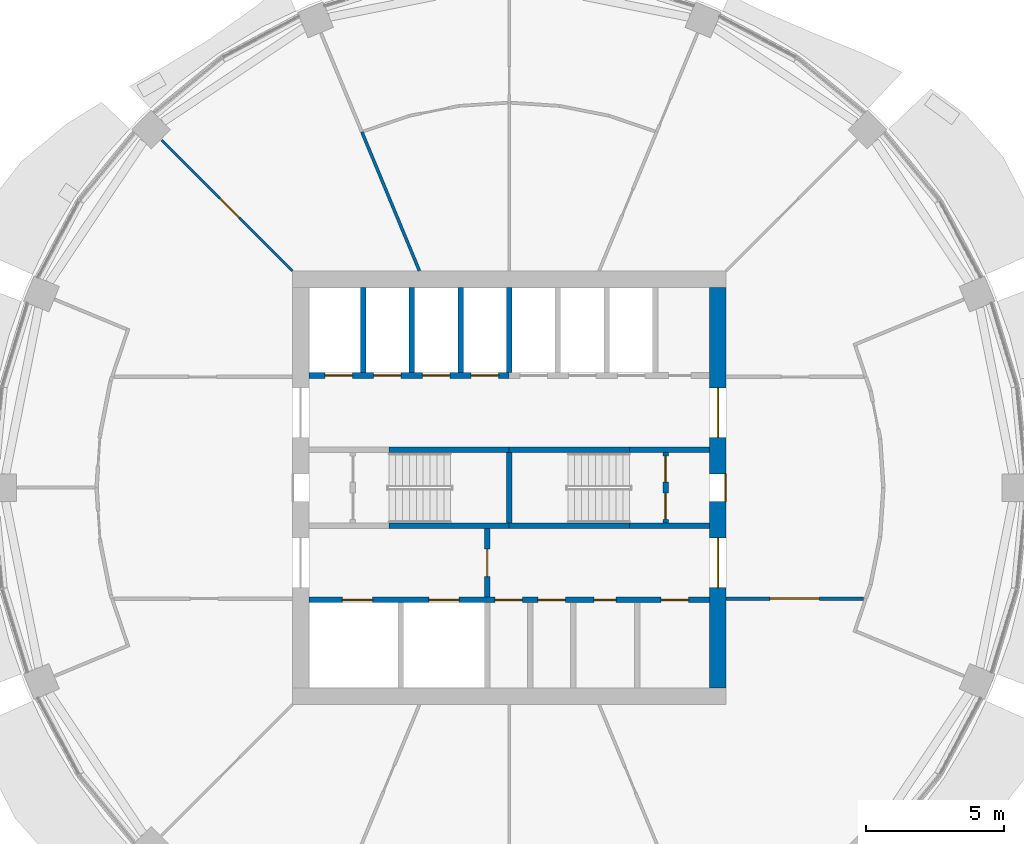
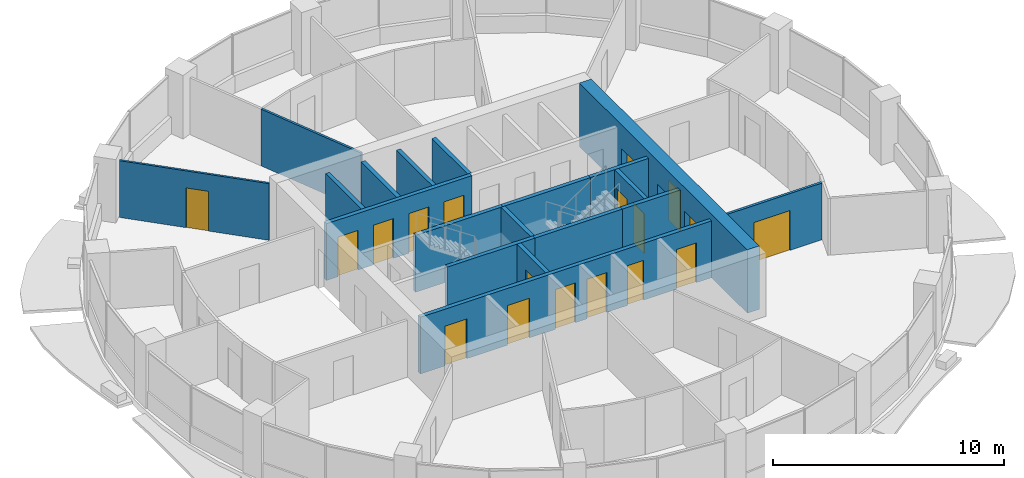
# One storey, part 9 of 15: 19 walls, 18 doors, 18 openings.
"""IFC4 building model written with IfcOpenShell, lengths in metres."""

from ifc_helpers import new_model, si_unit, direction, frame, frame_2d, origin, place, context, subcontext, project, spatial, rectangle, extrude, material, layer, layer_set, type_object, element, fill, save


model = new_model("IFC4")

# Units and contexts
model_context = context("Model", 3, precision=1e-05, world=origin(), true_north=direction((0.0, 1.0)))
body_context = subcontext(model_context, "Body", "Model", "MODEL_VIEW")
ifc_project = project(units=[si_unit("LENGTHUNIT", "METRE"), si_unit("AREAUNIT", "SQUARE_METRE"), si_unit("VOLUMEUNIT", "CUBIC_METRE"), si_unit("PLANEANGLEUNIT", "RADIAN"), si_unit("MASSUNIT", "GRAM", prefix="KILO")], contexts=[model_context])

# Site, building, storey
site_placement = place(None, origin())
site = spatial("IfcSite", under=ifc_project, at=site_placement, CompositionType="ELEMENT")
building_placement = place(site_placement, origin())
building = spatial("IfcBuilding", under=site, at=building_placement, Name="Polderwave Tower", CompositionType="ELEMENT")
storey_placement = place(building_placement, frame((0.0, 0.0, 134.35009765625)))
storey = spatial("IfcBuildingStorey", under=building, at=storey_placement, Name="L35", CompositionType="ELEMENT", Elevation=134.35009765625)

# Wall, openings, doors
ifc_material_1 = material(Name="Concrete C60/75", Category="concrete")
ifc_layer_1 = layer(ifc_material_1, 0.60009765625)
ifc_layer_set_1 = layer_set([ifc_layer_1], Name="CORE WALL 600 C60/75")
wall_type_1 = type_object("IfcWallType", Name="CORE WALL 600 C60/75", PredefinedType="SHEAR", material=ifc_layer_set_1)
wall_1_placement = place(storey_placement, frame((7.573974609375, -7.27392578125, 0.0), z_axis=(0.0, 0.0, 1.0), x_axis=(0.0, 1.0, 0.0)))
wall_1 = element("IfcWall", 1, at=wall_1_placement, inside=storey, type_object=wall_type_1, Name="ST-CORE-L35-E", PredefinedType="SHEAR", context=body_context, shape_type="SweptSolid", body=[
    extrude(rectangle(XDim=14.5478515625, YDim=0.60009765625, at=frame_2d((7.27392578125, 0.0))), origin(), (0.0, 0.0, 1.0), 3.349853515625),
])
opening_1_placement = place(wall_1_placement, frame((6.77392578125, 0.0, 0.0)))
opening_1 = element("IfcOpeningElement", 2, at=opening_1_placement, cuts=wall_1, Name="Opening L35-D23", PredefinedType="OPENING", context=body_context, shape_type="SweptSolid", body=[
    extrude(rectangle(XDim=1.0, YDim=2.10009765625, at=frame_2d((0.5, 1.050048828125))), frame((0.0, 0.31005859375, 0.0), z_axis=(0.0, -1.0, 0.0), x_axis=(1.0, 0.0, 0.0)), (0.0, 0.0, 1.0), 0.6201171875),
])
opening_2_placement = place(wall_1_placement, frame((3.6494140625, 0.0, 0.0)))
opening_2 = element("IfcOpeningElement", 3, at=opening_2_placement, cuts=wall_1, Name="Opening L35-D24", PredefinedType="OPENING", context=body_context, shape_type="SweptSolid", body=[
    extrude(rectangle(XDim=1.800048828125, YDim=2.10009765625, at=frame_2d((0.89990234375, 1.050048828125))), frame((0.0, 0.31005859375, 0.0), z_axis=(0.0, -1.0, 0.0), x_axis=(1.0, 0.0, 0.0)), (0.0, 0.0, 1.0), 0.6201171875),
])
opening_3_placement = place(wall_1_placement, frame((9.098388671875, 0.0, 0.0)))
opening_3 = element("IfcOpeningElement", 4, at=opening_3_placement, cuts=wall_1, Name="Opening L35-D25", PredefinedType="OPENING", context=body_context, shape_type="SweptSolid", body=[
    extrude(rectangle(XDim=1.800048828125, YDim=2.10009765625, at=frame_2d((0.89990234375, 1.050048828125))), frame((0.0, 0.31005859375, 0.0), z_axis=(0.0, -1.0, 0.0), x_axis=(1.0, 0.0, 0.0)), (0.0, 0.0, 1.0), 0.6201171875),
])
ifc_material_2 = material(Name="Steel fire door", Category="steel")
door_type_1 = type_object("IfcDoorType", Name="Lobby entry door pair 1800", OperationType="DOUBLE_DOOR_SINGLE_SWING", PredefinedType="DOOR", material=ifc_material_2)
door_1_placement = place(opening_2_placement, frame((1.800048828125, 0.0, 0.0), z_axis=(0.0, 0.0, 1.0), x_axis=(-1.0, 0.0, 0.0)))
door_1 = element("IfcDoor", 5, at=door_1_placement, inside=storey, type_object=door_type_1, Name="South lobby entry door", OperationType="DOUBLE_DOOR_SINGLE_SWING", OverallHeight=2.10009765625, OverallWidth=1.800048828125, PredefinedType="DOOR", context=body_context, shape_type="SweptSolid", body=[
    extrude(rectangle(XDim=1.800048828125, YDim=2.10009765625, at=frame_2d((0.89990234375, 1.050048828125))), frame((0.0, 0.02490234375, 0.0), z_axis=(0.0, -1.0, 0.0), x_axis=(1.0, 0.0, 0.0)), (0.0, 0.0, 1.0), 0.050048828125),
])
fill(opening_2, door_1)
door_2_placement = place(opening_3_placement, frame((1.800048828125, 0.0, 0.0), z_axis=(0.0, 0.0, 1.0), x_axis=(-1.0, 0.0, 0.0)))
door_2 = element("IfcDoor", 6, at=door_2_placement, inside=storey, type_object=door_type_1, Name="North lobby entry door", OperationType="DOUBLE_DOOR_SINGLE_SWING", OverallHeight=2.10009765625, OverallWidth=1.800048828125, PredefinedType="DOOR", context=body_context, shape_type="SweptSolid", body=[
    extrude(rectangle(XDim=1.800048828125, YDim=2.10009765625, at=frame_2d((0.89990234375, 1.050048828125))), frame((0.0, 0.02490234375, 0.0), z_axis=(0.0, -1.0, 0.0), x_axis=(1.0, 0.0, 0.0)), (0.0, 0.0, 1.0), 0.050048828125),
])
fill(opening_3, door_2)
door_type_2 = type_object("IfcDoorType", Name="Stair door 1000", OperationType="NOTDEFINED", PredefinedType="DOOR", material=ifc_material_2)
door_3_placement = place(opening_1_placement, frame((1.0, 0.0, 0.0), z_axis=(0.0, 0.0, 1.0), x_axis=(-1.0, 0.0, 0.0)))
door_3 = element("IfcDoor", 7, at=door_3_placement, inside=storey, type_object=door_type_2, Name="Stair B entry door", OperationType="SINGLE_SWING_LEFT", OverallHeight=2.10009765625, OverallWidth=1.0, PredefinedType="DOOR", context=body_context, shape_type="SweptSolid", body=[
    extrude(rectangle(XDim=1.0, YDim=2.10009765625, at=frame_2d((0.5, 1.050048828125))), frame((0.0, 0.2998046875, 0.0), z_axis=(0.0, -1.0, 0.0), x_axis=(1.0, 0.0, 0.0)), (0.0, 0.0, 1.0), 0.050048828125),
])
fill(opening_1, door_3)

# Wall, opening, door
ifc_material_3 = material(Name="Gypsum board partition")
ifc_layer_2 = layer(ifc_material_3, 0.199951171875)
ifc_layer_set_2 = layer_set([ifc_layer_2], Name="Core room partition 200")
wall_type_2 = type_object("IfcWallType", Name="Core room partition 200", PredefinedType="PARTITIONING", material=ifc_layer_set_2)
wall_2_placement = place(storey_placement, frame((-0.800048828125, -3.97412109375, 0.0), z_axis=(0.0, 0.0, 1.0), x_axis=(0.0, 1.0, 0.0)))
wall_2 = element("IfcWall", 8, at=wall_2_placement, inside=storey, type_object=wall_type_2, Name="L35 fire-fighting lobby wall", PredefinedType="PARTITIONING", context=body_context, shape_type="SweptSolid", body=[
    extrude(rectangle(XDim=2.4990234375, YDim=0.199951171875, at=frame_2d((1.24951171875, 0.0))), origin(), (0.0, 0.0, 1.0), 3.0),
])
opening_4_placement = place(wall_2_placement, frame((0.74951171875, 0.0, 0.0)))
opening_4 = element("IfcOpeningElement", 9, at=opening_4_placement, cuts=wall_2, Name="Opening L35-D14", PredefinedType="OPENING", context=body_context, shape_type="SweptSolid", body=[
    extrude(rectangle(XDim=1.0, YDim=2.10009765625, at=frame_2d((0.5, 1.050048828125))), frame((0.0, 0.10986328125, 0.0), z_axis=(0.0, -1.0, 0.0), x_axis=(1.0, 0.0, 0.0)), (0.0, 0.0, 1.0), 0.219970703125),
])
door_type_3 = type_object("IfcDoorType", Name="Lobby fire door 1000", OperationType="NOTDEFINED", PredefinedType="DOOR", material=ifc_material_2)
door_4_placement = place(opening_4_placement, frame((1.0, 0.0, 0.0), z_axis=(0.0, 0.0, 1.0), x_axis=(-1.0, 0.0, 0.0)))
door_4 = element("IfcDoor", 10, at=door_4_placement, inside=storey, type_object=door_type_3, Name="Fire-fighting lobby door", OperationType="SINGLE_SWING_LEFT", OverallHeight=2.10009765625, OverallWidth=1.0, PredefinedType="DOOR", context=body_context, shape_type="SweptSolid", body=[
    extrude(rectangle(XDim=1.0, YDim=2.10009765625, at=frame_2d((0.5, 1.050048828125))), frame((0.0, 0.02490234375, 0.0), z_axis=(0.0, -1.0, 0.0), x_axis=(1.0, 0.0, 0.0)), (0.0, 0.0, 1.0), 0.050048828125),
])
fill(opening_4, door_4)

# Wall, openings, doors
wall_3_placement = place(storey_placement, frame((5.674072265625, -1.27490234375, 0.0), z_axis=(0.0, 0.0, 1.0), x_axis=(0.0, 1.0, 0.0)))
wall_3 = element("IfcWall", 11, at=wall_3_placement, inside=storey, type_object=wall_type_2, Name="L35 smoke lobby wall B", PredefinedType="PARTITIONING", context=body_context, shape_type="SweptSolid", body=[
    extrude(rectangle(XDim=2.5498046875, YDim=0.199951171875, at=frame_2d((1.27490234375, 0.0))), origin(), (0.0, 0.0, 1.0), 3.0),
])
opening_5_placement = place(wall_3_placement, frame((0.125, 0.0, 0.0)))
opening_5 = element("IfcOpeningElement", 12, at=opening_5_placement, cuts=wall_3, Name="Opening L35-D12", PredefinedType="OPENING", context=body_context, shape_type="SweptSolid", body=[
    extrude(rectangle(XDim=0.949951171875, YDim=2.10009765625, at=frame_2d((0.47509765625, 1.050048828125))), frame((0.0, 0.10986328125, 0.0), z_axis=(0.0, -1.0, 0.0), x_axis=(1.0, 0.0, 0.0)), (0.0, 0.0, 1.0), 0.219970703125),
])
opening_6_placement = place(wall_3_placement, frame((1.47509765625, 0.0, 0.0)))
opening_6 = element("IfcOpeningElement", 13, at=opening_6_placement, cuts=wall_3, Name="Opening L35-D13", PredefinedType="OPENING", context=body_context, shape_type="SweptSolid", body=[
    extrude(rectangle(XDim=0.949951171875, YDim=2.10009765625, at=frame_2d((0.47509765625, 1.050048828125))), frame((0.0, 0.10986328125, 0.0), z_axis=(0.0, -1.0, 0.0), x_axis=(1.0, 0.0, 0.0)), (0.0, 0.0, 1.0), 0.219970703125),
])
door_type_4 = type_object("IfcDoorType", Name="Smoke lobby door 950", OperationType="NOTDEFINED", PredefinedType="DOOR", material=ifc_material_2)
door_5_placement = place(opening_5_placement, frame((0.949951171875, 0.0, 0.0), z_axis=(0.0, 0.0, 1.0), x_axis=(-1.0, 0.0, 0.0)))
door_5 = element("IfcDoor", 14, at=door_5_placement, inside=storey, type_object=door_type_4, Name="Stair B smoke lobby inner door", OperationType="SINGLE_SWING_RIGHT", OverallHeight=2.10009765625, OverallWidth=0.949951171875, PredefinedType="DOOR", context=body_context, shape_type="SweptSolid", body=[
    extrude(rectangle(XDim=0.949951171875, YDim=2.10009765625, at=frame_2d((0.47509765625, 1.050048828125))), frame((0.0, 0.02490234375, 0.0), z_axis=(0.0, -1.0, 0.0), x_axis=(1.0, 0.0, 0.0)), (0.0, 0.0, 1.0), 0.050048828125),
])
fill(opening_5, door_5)
door_6_placement = place(opening_6_placement, frame((0.949951171875, 0.0, 0.0), z_axis=(0.0, 0.0, 1.0), x_axis=(-1.0, 0.0, 0.0)))
door_6 = element("IfcDoor", 15, at=door_6_placement, inside=storey, type_object=door_type_4, Name="Stair B smoke lobby inner door", OperationType="SINGLE_SWING_LEFT", OverallHeight=2.10009765625, OverallWidth=0.949951171875, PredefinedType="DOOR", context=body_context, shape_type="SweptSolid", body=[
    extrude(rectangle(XDim=0.949951171875, YDim=2.10009765625, at=frame_2d((0.47509765625, 1.050048828125))), frame((0.0, 0.02490234375, 0.0), z_axis=(0.0, -1.0, 0.0), x_axis=(1.0, 0.0, 0.0)), (0.0, 0.0, 1.0), 0.050048828125),
])
fill(opening_6, door_6)

ifc_material_4 = material(Name="Concrete C50/60", Category="concrete")
ifc_layer_3 = layer(ifc_material_4, 0.199951171875)
ifc_layer_set_3 = layer_set([ifc_layer_3], Name="Core web wall 200")
wall_type_3 = type_object("IfcWallType", Name="Core web wall 200", PredefinedType="SHEAR", material=ifc_layer_set_3)
wall_4_placement = place(storey_placement, frame((-7.27392578125, -4.073974609375, 0.0), z_axis=(0.0, 0.0, 1.0), x_axis=(1.0, 0.0, 0.0)))
wall_4 = element("IfcWall", 16, at=wall_4_placement, inside=storey, type_object=wall_type_3, Name="L35 south front wall", PredefinedType="SHEAR", context=body_context, shape_type="SweptSolid", body=[
    extrude(rectangle(XDim=14.5478515625, YDim=0.199951171875, at=frame_2d((7.27392578125, 0.0))), origin(), (0.0, 0.0, 1.0), 3.0),
])
opening_7_placement = place(wall_4_placement, frame((1.218505859375, 0.0, 0.0)))
opening_7 = element("IfcOpeningElement", 17, at=opening_7_placement, cuts=wall_4, Name="Opening L35-D01", PredefinedType="OPENING", context=body_context, shape_type="SweptSolid", body=[
    extrude(rectangle(XDim=1.10009765625, YDim=2.10009765625, at=frame_2d((0.550048828125, 1.050048828125))), frame((0.0, 0.10986328125, 0.0), z_axis=(0.0, -1.0, 0.0), x_axis=(1.0, 0.0, 0.0)), (0.0, 0.0, 1.0), 0.219970703125),
])
opening_8_placement = place(wall_4_placement, frame((4.35546875, 0.0, 0.0)))
opening_8 = element("IfcOpeningElement", 18, at=opening_8_placement, cuts=wall_4, Name="Opening L35-D02", PredefinedType="OPENING", context=body_context, shape_type="SweptSolid", body=[
    extrude(rectangle(XDim=1.10009765625, YDim=2.10009765625, at=frame_2d((0.550048828125, 1.050048828125))), frame((0.0, 0.10986328125, 0.0), z_axis=(0.0, -1.0, 0.0), x_axis=(1.0, 0.0, 0.0)), (0.0, 0.0, 1.0), 0.219970703125),
])
opening_9_placement = place(wall_4_placement, frame((6.753173828125, 0.0, 0.0)))
opening_9 = element("IfcOpeningElement", 19, at=opening_9_placement, cuts=wall_4, Name="Opening L35-D15", PredefinedType="OPENING", context=body_context, shape_type="SweptSolid", body=[
    extrude(rectangle(XDim=1.0, YDim=2.10009765625, at=frame_2d((0.5, 1.050048828125))), frame((0.0, 0.10986328125, 0.0), z_axis=(0.0, -1.0, 0.0), x_axis=(1.0, 0.0, 0.0)), (0.0, 0.0, 1.0), 0.219970703125),
])
opening_10_placement = place(wall_4_placement, frame((8.3115234375, 0.0, 0.0)))
opening_10 = element("IfcOpeningElement", 20, at=opening_10_placement, cuts=wall_4, Name="Opening L35-D16", PredefinedType="OPENING", context=body_context, shape_type="SweptSolid", body=[
    extrude(rectangle(XDim=1.0, YDim=2.10009765625, at=frame_2d((0.5, 1.050048828125))), frame((0.0, 0.10986328125, 0.0), z_axis=(0.0, -1.0, 0.0), x_axis=(1.0, 0.0, 0.0)), (0.0, 0.0, 1.0), 0.219970703125),
])
opening_11_placement = place(wall_4_placement, frame((10.35791015625, 0.0, 0.0)))
opening_11 = element("IfcOpeningElement", 21, at=opening_11_placement, cuts=wall_4, Name="Opening L35-D17", PredefinedType="OPENING", context=body_context, shape_type="SweptSolid", body=[
    extrude(rectangle(XDim=0.800048828125, YDim=2.10009765625, at=frame_2d((0.39990234375, 1.050048828125))), frame((0.0, 0.10986328125, 0.0), z_axis=(0.0, -1.0, 0.0), x_axis=(1.0, 0.0, 0.0)), (0.0, 0.0, 1.0), 0.219970703125),
])
opening_12_placement = place(wall_4_placement, frame((12.78662109375, 0.0, 0.0)))
opening_12 = element("IfcOpeningElement", 22, at=opening_12_placement, cuts=wall_4, Name="Opening L35-D18", PredefinedType="OPENING", context=body_context, shape_type="SweptSolid", body=[
    extrude(rectangle(XDim=1.0, YDim=2.10009765625, at=frame_2d((0.5, 1.050048828125))), frame((0.0, 0.10986328125, 0.0), z_axis=(0.0, -1.0, 0.0), x_axis=(1.0, 0.0, 0.0)), (0.0, 0.0, 1.0), 0.219970703125),
])
ifc_material_5 = material(Name="Timber door leaf", Category="wood")
door_type_5 = type_object("IfcDoorType", Name="Accessible WC door 1000", OperationType="NOTDEFINED", PredefinedType="DOOR", material=ifc_material_5)
door_7_placement = place(opening_9_placement, frame((1.0, 0.0, 0.0), z_axis=(0.0, 0.0, 1.0), x_axis=(-1.0, 0.0, 0.0)))
door_7 = element("IfcDoor", 23, at=door_7_placement, inside=storey, type_object=door_type_5, Name="Accessible WC door", OperationType="SINGLE_SWING_RIGHT", OverallHeight=2.10009765625, OverallWidth=1.0, PredefinedType="DOOR", context=body_context, shape_type="SweptSolid", body=[
    extrude(rectangle(XDim=1.0, YDim=2.10009765625, at=frame_2d((0.5, 1.050048828125))), frame((0.0, 0.02490234375, 0.0), z_axis=(0.0, -1.0, 0.0), x_axis=(1.0, 0.0, 0.0)), (0.0, 0.0, 1.0), 0.050048828125),
])
fill(opening_9, door_7)
ifc_material_6 = material(Name="Stainless steel", Category="steel")
door_type_6 = type_object("IfcDoorType", Name="Fire-fighting lift landing door 1100", OperationType="DOUBLE_DOOR_SLIDING", PredefinedType="DOOR", material=ifc_material_6)
door_8_placement = place(opening_7_placement, origin())
door_8 = element("IfcDoor", 24, at=door_8_placement, inside=storey, type_object=door_type_6, Name="Fire-fighting lift FF1 landing door", OperationType="DOUBLE_DOOR_SLIDING", OverallHeight=2.10009765625, OverallWidth=1.10009765625, PredefinedType="DOOR", context=body_context, shape_type="SweptSolid", body=[
    extrude(rectangle(XDim=1.10009765625, YDim=2.10009765625, at=frame_2d((0.550048828125, 1.050048828125))), frame((0.0, 0.02490234375, 0.0), z_axis=(0.0, -1.0, 0.0), x_axis=(1.0, 0.0, 0.0)), (0.0, 0.0, 1.0), 0.050048828125),
])
fill(opening_7, door_8)
door_9_placement = place(opening_8_placement, origin())
door_9 = element("IfcDoor", 25, at=door_9_placement, inside=storey, type_object=door_type_6, Name="Fire-fighting lift FF2 landing door", OperationType="DOUBLE_DOOR_SLIDING", OverallHeight=2.10009765625, OverallWidth=1.10009765625, PredefinedType="DOOR", context=body_context, shape_type="SweptSolid", body=[
    extrude(rectangle(XDim=1.10009765625, YDim=2.10009765625, at=frame_2d((0.550048828125, 1.050048828125))), frame((0.0, 0.02490234375, 0.0), z_axis=(0.0, -1.0, 0.0), x_axis=(1.0, 0.0, 0.0)), (0.0, 0.0, 1.0), 0.050048828125),
])
fill(opening_8, door_9)
door_type_7 = type_object("IfcDoorType", Name="Riser door 800", OperationType="NOTDEFINED", PredefinedType="DOOR", material=ifc_material_2)
door_10_placement = place(opening_11_placement, origin())
door_10 = element("IfcDoor", 26, at=door_10_placement, inside=storey, type_object=door_type_7, Name="Electrical room door", OperationType="SINGLE_SWING_RIGHT", OverallHeight=2.10009765625, OverallWidth=0.800048828125, PredefinedType="DOOR", context=body_context, shape_type="SweptSolid", body=[
    extrude(rectangle(XDim=0.800048828125, YDim=2.10009765625, at=frame_2d((0.39990234375, 1.050048828125))), frame((0.0, 0.02490234375, 0.0), z_axis=(0.0, -1.0, 0.0), x_axis=(1.0, 0.0, 0.0)), (0.0, 0.0, 1.0), 0.050048828125),
])
fill(opening_11, door_10)
door_type_8 = type_object("IfcDoorType", Name="Room door 1000", OperationType="NOTDEFINED", PredefinedType="DOOR", material=ifc_material_5)
door_11_placement = place(opening_10_placement, frame((1.0, 0.0, 0.0), z_axis=(0.0, 0.0, 1.0), x_axis=(-1.0, 0.0, 0.0)))
door_11 = element("IfcDoor", 27, at=door_11_placement, inside=storey, type_object=door_type_8, Name="Staff WC door", OperationType="SINGLE_SWING_LEFT", OverallHeight=2.10009765625, OverallWidth=1.0, PredefinedType="DOOR", context=body_context, shape_type="SweptSolid", body=[
    extrude(rectangle(XDim=1.0, YDim=2.10009765625, at=frame_2d((0.5, 1.050048828125))), frame((0.0, 0.02490234375, 0.0), z_axis=(0.0, -1.0, 0.0), x_axis=(1.0, 0.0, 0.0)), (0.0, 0.0, 1.0), 0.050048828125),
])
fill(opening_10, door_11)
door_12_placement = place(opening_12_placement, frame((1.0, 0.0, 0.0), z_axis=(0.0, 0.0, 1.0), x_axis=(-1.0, 0.0, 0.0)))
door_12 = element("IfcDoor", 28, at=door_12_placement, inside=storey, type_object=door_type_8, Name="Store door", OperationType="SINGLE_SWING_LEFT", OverallHeight=2.10009765625, OverallWidth=1.0, PredefinedType="DOOR", context=body_context, shape_type="SweptSolid", body=[
    extrude(rectangle(XDim=1.0, YDim=2.10009765625, at=frame_2d((0.5, 1.050048828125))), frame((0.0, 0.02490234375, 0.0), z_axis=(0.0, -1.0, 0.0), x_axis=(1.0, 0.0, 0.0)), (0.0, 0.0, 1.0), 0.050048828125),
])
fill(opening_12, door_12)

wall_5_placement = place(storey_placement, frame((-7.27392578125, 4.073974609375, 0.0), z_axis=(0.0, 0.0, 1.0), x_axis=(1.0, 0.0, 0.0)))
wall_5 = element("IfcWall", 29, at=wall_5_placement, inside=storey, type_object=wall_type_3, Name="L35 north front wall 1", PredefinedType="SHEAR", context=body_context, shape_type="SweptSolid", body=[
    extrude(rectangle(XDim=7.27392578125, YDim=0.199951171875, at=frame_2d((3.636962890625, 0.0))), origin(), (0.0, 0.0, 1.0), 3.0),
])
opening_13_placement = place(wall_5_placement, frame((0.584228515625, 0.0, 0.0)))
opening_13 = element("IfcOpeningElement", 30, at=opening_13_placement, cuts=wall_5, Name="Opening L35-D03", PredefinedType="OPENING", context=body_context, shape_type="SweptSolid", body=[
    extrude(rectangle(XDim=1.0, YDim=2.10009765625, at=frame_2d((0.5, 1.050048828125))), frame((0.0, 0.10986328125, 0.0), z_axis=(0.0, -1.0, 0.0), x_axis=(1.0, 0.0, 0.0)), (0.0, 0.0, 1.0), 0.219970703125),
])
opening_14_placement = place(wall_5_placement, frame((2.352783203125, 0.0, 0.0)))
opening_14 = element("IfcOpeningElement", 31, at=opening_14_placement, cuts=wall_5, Name="Opening L35-D04", PredefinedType="OPENING", context=body_context, shape_type="SweptSolid", body=[
    extrude(rectangle(XDim=1.0, YDim=2.10009765625, at=frame_2d((0.5, 1.050048828125))), frame((0.0, 0.10986328125, 0.0), z_axis=(0.0, -1.0, 0.0), x_axis=(1.0, 0.0, 0.0)), (0.0, 0.0, 1.0), 0.219970703125),
])
opening_15_placement = place(wall_5_placement, frame((4.12109375, 0.0, 0.0)))
opening_15 = element("IfcOpeningElement", 32, at=opening_15_placement, cuts=wall_5, Name="Opening L35-D05", PredefinedType="OPENING", context=body_context, shape_type="SweptSolid", body=[
    extrude(rectangle(XDim=1.0, YDim=2.10009765625, at=frame_2d((0.5, 1.050048828125))), frame((0.0, 0.10986328125, 0.0), z_axis=(0.0, -1.0, 0.0), x_axis=(1.0, 0.0, 0.0)), (0.0, 0.0, 1.0), 0.219970703125),
])
opening_16_placement = place(wall_5_placement, frame((5.889892578125, 0.0, 0.0)))
opening_16 = element("IfcOpeningElement", 33, at=opening_16_placement, cuts=wall_5, Name="Opening L35-D06", PredefinedType="OPENING", context=body_context, shape_type="SweptSolid", body=[
    extrude(rectangle(XDim=1.0, YDim=2.10009765625, at=frame_2d((0.5, 1.050048828125))), frame((0.0, 0.10986328125, 0.0), z_axis=(0.0, -1.0, 0.0), x_axis=(1.0, 0.0, 0.0)), (0.0, 0.0, 1.0), 0.219970703125),
])
door_type_9 = type_object("IfcDoorType", Name="Lift landing door 1000", OperationType="DOUBLE_DOOR_SLIDING", PredefinedType="DOOR", material=ifc_material_6)
door_13_placement = place(opening_13_placement, frame((1.0, 0.0, 0.0), z_axis=(0.0, 0.0, 1.0), x_axis=(-1.0, 0.0, 0.0)))
door_13 = element("IfcDoor", 34, at=door_13_placement, inside=storey, type_object=door_type_9, Name="Lift HL1 landing door", OperationType="DOUBLE_DOOR_SLIDING", OverallHeight=2.10009765625, OverallWidth=1.0, PredefinedType="DOOR", context=body_context, shape_type="SweptSolid", body=[
    extrude(rectangle(XDim=1.0, YDim=2.10009765625, at=frame_2d((0.5, 1.050048828125))), frame((0.0, 0.02490234375, 0.0), z_axis=(0.0, -1.0, 0.0), x_axis=(1.0, 0.0, 0.0)), (0.0, 0.0, 1.0), 0.050048828125),
])
fill(opening_13, door_13)
door_14_placement = place(opening_14_placement, frame((1.0, 0.0, 0.0), z_axis=(0.0, 0.0, 1.0), x_axis=(-1.0, 0.0, 0.0)))
door_14 = element("IfcDoor", 35, at=door_14_placement, inside=storey, type_object=door_type_9, Name="Lift HL2 landing door", OperationType="DOUBLE_DOOR_SLIDING", OverallHeight=2.10009765625, OverallWidth=1.0, PredefinedType="DOOR", context=body_context, shape_type="SweptSolid", body=[
    extrude(rectangle(XDim=1.0, YDim=2.10009765625, at=frame_2d((0.5, 1.050048828125))), frame((0.0, 0.02490234375, 0.0), z_axis=(0.0, -1.0, 0.0), x_axis=(1.0, 0.0, 0.0)), (0.0, 0.0, 1.0), 0.050048828125),
])
fill(opening_14, door_14)
door_15_placement = place(opening_15_placement, frame((1.0, 0.0, 0.0), z_axis=(0.0, 0.0, 1.0), x_axis=(-1.0, 0.0, 0.0)))
door_15 = element("IfcDoor", 36, at=door_15_placement, inside=storey, type_object=door_type_9, Name="Lift HL3 landing door", OperationType="DOUBLE_DOOR_SLIDING", OverallHeight=2.10009765625, OverallWidth=1.0, PredefinedType="DOOR", context=body_context, shape_type="SweptSolid", body=[
    extrude(rectangle(XDim=1.0, YDim=2.10009765625, at=frame_2d((0.5, 1.050048828125))), frame((0.0, 0.02490234375, 0.0), z_axis=(0.0, -1.0, 0.0), x_axis=(1.0, 0.0, 0.0)), (0.0, 0.0, 1.0), 0.050048828125),
])
fill(opening_15, door_15)
door_16_placement = place(opening_16_placement, frame((1.0, 0.0, 0.0), z_axis=(0.0, 0.0, 1.0), x_axis=(-1.0, 0.0, 0.0)))
door_16 = element("IfcDoor", 37, at=door_16_placement, inside=storey, type_object=door_type_9, Name="Lift HL4 landing door", OperationType="DOUBLE_DOOR_SLIDING", OverallHeight=2.10009765625, OverallWidth=1.0, PredefinedType="DOOR", context=body_context, shape_type="SweptSolid", body=[
    extrude(rectangle(XDim=1.0, YDim=2.10009765625, at=frame_2d((0.5, 1.050048828125))), frame((0.0, 0.02490234375, 0.0), z_axis=(0.0, -1.0, 0.0), x_axis=(1.0, 0.0, 0.0)), (0.0, 0.0, 1.0), 0.050048828125),
])
fill(opening_16, door_16)

# Walls
for number, where, z_axis, x_axis, name in (
    (38, (-4.3740234375, -1.375, 0.0), (0.0, 0.0, 1.0), (1.0, 0.0, 0.0), "L35 south stair wall 2"),
    (39, (0.0, -1.375, 0.0), (0.0, 0.0, 1.0), (1.0, 0.0, 0.0), "L35 south stair wall 3"),
):
    element("IfcWall", number, at=place(storey_placement, frame(where, z_axis=z_axis, x_axis=x_axis)), inside=storey, type_object=wall_type_3, Name=name, PredefinedType="SHEAR", context=body_context, shape_type="SweptSolid", body=[
        extrude(rectangle(XDim=4.3740234375, YDim=0.199951171875, at=frame_2d((2.18701171875, 0.0))), origin(), (0.0, 0.0, 1.0), 3.0),
    ])
wall_6_placement = place(storey_placement, frame((4.3740234375, -1.375, 0.0), z_axis=(0.0, 0.0, 1.0), x_axis=(1.0, 0.0, 0.0)))
element("IfcWall", 40, at=wall_6_placement, inside=storey, type_object=wall_type_3, Name="L35 south stair wall 4", PredefinedType="SHEAR", context=body_context, shape_type="SweptSolid", body=[
    extrude(rectangle(XDim=2.89990234375, YDim=0.199951171875, at=frame_2d((1.449951171875, 0.0))), origin(), (0.0, 0.0, 1.0), 3.0),
])
for number, where, z_axis, x_axis, name in (
    (41, (-4.3740234375, 1.375, 0.0), (0.0, 0.0, 1.0), (1.0, 0.0, 0.0), "L35 north stair wall 2"),
    (42, (0.0, 1.375, 0.0), (0.0, 0.0, 1.0), (1.0, 0.0, 0.0), "L35 north stair wall 3"),
):
    element("IfcWall", number, at=place(storey_placement, frame(where, z_axis=z_axis, x_axis=x_axis)), inside=storey, type_object=wall_type_3, Name=name, PredefinedType="SHEAR", context=body_context, shape_type="SweptSolid", body=[
        extrude(rectangle(XDim=4.3740234375, YDim=0.199951171875, at=frame_2d((2.18701171875, 0.0))), origin(), (0.0, 0.0, 1.0), 3.0),
    ])
wall_7_placement = place(storey_placement, frame((4.3740234375, 1.375, 0.0), z_axis=(0.0, 0.0, 1.0), x_axis=(1.0, 0.0, 0.0)))
element("IfcWall", 43, at=wall_7_placement, inside=storey, type_object=wall_type_3, Name="L35 north stair wall 4", PredefinedType="SHEAR", context=body_context, shape_type="SweptSolid", body=[
    extrude(rectangle(XDim=2.89990234375, YDim=0.199951171875, at=frame_2d((1.449951171875, 0.0))), origin(), (0.0, 0.0, 1.0), 3.0),
])
wall_8_placement = place(storey_placement, frame((0.0, -1.27490234375, 0.0), z_axis=(0.0, 0.0, 1.0), x_axis=(0.0, 1.0, 0.0)))
element("IfcWall", 44, at=wall_8_placement, inside=storey, type_object=wall_type_3, Name="L35 wall between the stairs", PredefinedType="SHEAR", context=body_context, shape_type="SweptSolid", body=[
    extrude(rectangle(XDim=2.5498046875, YDim=0.199951171875, at=frame_2d((1.27490234375, 0.0))), origin(), (0.0, 0.0, 1.0), 3.0),
])

# Wall, opening, door
ifc_material_7 = material(Name="Fire-resisting board on steel studs", Category="steel")
ifc_layer_4 = layer(ifc_material_7, 0.125)
ifc_layer_set_4 = layer_set([ifc_layer_4], Name="Corridor wall 125 mm EI 60")
wall_type_4 = type_object("IfcWallType", Name="Corridor wall 125 mm EI 60", PredefinedType="PARTITIONING", material=ifc_layer_set_4)
wall_9_placement = place(storey_placement, frame((12.85693359375, -4.0244140625, 0.0), z_axis=(0.0, 0.0, 1.0), x_axis=(-1.0, 0.0, 0.0)))
wall_9 = element("IfcWall", 45, at=wall_9_placement, inside=storey, type_object=wall_type_4, Name="IN-L35-W008", PredefinedType="PARTITIONING", context=body_context, shape_type="SweptSolid", body=[
    extrude(rectangle(XDim=4.98291015625, YDim=0.125, at=frame_2d((2.491455078125, 0.0))), origin(), (0.0, 0.0, 1.0), 3.0),
])
opening_17_placement = place(wall_9_placement, frame((1.60009765625, 0.0, 0.0)))
opening_17 = element("IfcOpeningElement", 46, at=opening_17_placement, cuts=wall_9, Name="Opening L35-D52", PredefinedType="OPENING", context=body_context, shape_type="SweptSolid", body=[
    extrude(rectangle(XDim=1.800048828125, YDim=2.10009765625, at=frame_2d((0.89990234375, 1.050048828125))), frame((0.0, 0.072509765625, 0.0), z_axis=(0.0, -1.0, 0.0), x_axis=(1.0, 0.0, 0.0)), (0.0, 0.0, 1.0), 0.14501953125),
])
ifc_material_8 = material(Name="Timber fire door leaves", Category="wood")
door_type_10 = type_object("IfcDoorType", Name="Double fire door FD30S 1800 x 2100", OperationType="NOTDEFINED", PredefinedType="DOOR", material=ifc_material_8)
door_17_placement = place(opening_17_placement, origin())
door_17 = element("IfcDoor", 47, at=door_17_placement, inside=storey, type_object=door_type_10, Name="Door L35-D52", OperationType="DOUBLE_DOOR_SINGLE_SWING", OverallHeight=2.10009765625, OverallWidth=1.800048828125, PredefinedType="DOOR", context=body_context, shape_type="SweptSolid", body=[
    extrude(rectangle(XDim=1.800048828125, YDim=2.10009765625, at=frame_2d((0.89990234375, 1.050048828125))), frame((0.0, 0.02490234375, 0.0), z_axis=(0.0, -1.0, 0.0), x_axis=(1.0, 0.0, 0.0)), (0.0, 0.0, 1.0), 0.050048828125),
])
fill(opening_17, door_17)

ifc_material_9 = material(Name="Plasterboard on steel studs", Category="steel")
ifc_layer_5 = layer(ifc_material_9, 0.10009765625)
ifc_layer_set_5 = layer_set([ifc_layer_5], Name="Partition 100 mm plasterboard on steel studs")
wall_type_5 = type_object("IfcWallType", Name="Partition 100 mm plasterboard on steel studs", PredefinedType="PARTITIONING", material=ifc_layer_set_5)
wall_10_placement = place(storey_placement, frame((-12.621826171875, 12.621826171875, 0.0), z_axis=(0.0, 0.0, 1.0), x_axis=(0.707106781187, -0.707106781187, 0.0)))
wall_10 = element("IfcWall", 48, at=wall_10_placement, inside=storey, type_object=wall_type_5, Name="IN-L35-W034", PredefinedType="PARTITIONING", context=body_context, shape_type="SweptSolid", body=[
    extrude(rectangle(XDim=6.71435546875, YDim=0.10009765625, at=frame_2d((3.357177734375, 0.0))), origin(), (0.0, 0.0, 1.0), 3.0),
])
opening_18_placement = place(wall_10_placement, frame((3.0, 0.0, 0.0)))
opening_18 = element("IfcOpeningElement", 49, at=opening_18_placement, cuts=wall_10, Name="Opening L35-D62", PredefinedType="OPENING", context=body_context, shape_type="SweptSolid", body=[
    extrude(rectangle(XDim=1.0, YDim=2.10009765625, at=frame_2d((0.5, 1.050048828125))), frame((0.0, 0.06005859375, 0.0), z_axis=(0.0, -1.0, 0.0), x_axis=(1.0, 0.0, 0.0)), (0.0, 0.0, 1.0), 0.1201171875),
])
ifc_material_10 = material(Name="Timber veneer door leaf", Category="wood")
door_type_11 = type_object("IfcDoorType", Name="Single door 1000 x 2100", OperationType="NOTDEFINED", PredefinedType="DOOR", material=ifc_material_10)
door_18_placement = place(opening_18_placement, origin())
door_18 = element("IfcDoor", 50, at=door_18_placement, inside=storey, type_object=door_type_11, Name="Door L35-D62", OperationType="SINGLE_SWING_RIGHT", OverallHeight=2.10009765625, OverallWidth=1.0, PredefinedType="DOOR", context=body_context, shape_type="SweptSolid", body=[
    extrude(rectangle(XDim=1.0, YDim=2.10009765625, at=frame_2d((0.5, 1.050048828125))), frame((0.0, 0.02490234375, 0.0), z_axis=(0.0, -1.0, 0.0), x_axis=(1.0, 0.0, 0.0)), (0.0, 0.0, 1.0), 0.050048828125),
])
fill(opening_18, door_18)

# Walls
ifc_material_11 = material(Name="Acoustic double plasterboard on steel studs", Category="steel")
ifc_layer_6 = layer(ifc_material_11, 0.110107421875)
ifc_layer_set_6 = layer_set([ifc_layer_6], Name="Partition 110 mm acoustic double board")
wall_type_6 = type_object("IfcWallType", Name="Partition 110 mm acoustic double board", PredefinedType="PARTITIONING", material=ifc_layer_set_6)
wall_11_placement = place(storey_placement, frame((-3.261474609375, 7.8740234375, 0.0), z_axis=(0.0, 0.0, 1.0), x_axis=(-0.38268632394, 0.923878334777, 0.0)))
element("IfcWall", 51, at=wall_11_placement, inside=storey, type_object=wall_type_6, Name="IN-L35-W032", PredefinedType="PARTITIONING", context=body_context, shape_type="SweptSolid", body=[
    extrude(rectangle(XDim=5.457275390625, YDim=0.110107421875, at=frame_2d((2.728515625, 0.0))), origin(), (0.0, 0.0, 1.0), 3.0),
])
ifc_material_12 = material(Name="Gypsum shaft wall system")
ifc_layer_7 = layer(ifc_material_12, 0.199951171875)
ifc_layer_set_7 = layer_set([ifc_layer_7], Name="Shaft wall 200")
wall_type_7 = type_object("IfcWallType", Name="Shaft wall 200", PredefinedType="PARTITIONING", material=ifc_layer_set_7)
for number, where, z_axis, x_axis, name in (
    (52, (-5.305419921875, 4.174072265625, 0.0), (0.0, 0.0, 1.0), (0.0, 1.0, 0.0), "L35 lift shaft wall N1"),
    (53, (-3.537109375, 4.174072265625, 0.0), (0.0, 0.0, 1.0), (0.0, 1.0, 0.0), "L35 lift shaft wall N2"),
    (54, (-1.7685546875, 4.174072265625, 0.0), (0.0, 0.0, 1.0), (0.0, 1.0, 0.0), "L35 lift shaft wall N3"),
    (55, (0.0, 4.174072265625, 0.0), (0.0, 0.0, 1.0), (0.0, 1.0, 0.0), "L35 lift shaft wall N4"),
):
    element("IfcWall", number, at=place(storey_placement, frame(where, z_axis=z_axis, x_axis=x_axis)), inside=storey, type_object=wall_type_7, Name=name, PredefinedType="PARTITIONING", context=body_context, shape_type="SweptSolid", body=[
        extrude(rectangle(XDim=3.099853515625, YDim=0.199951171875, at=frame_2d((1.5498046875, 0.0))), origin(), (0.0, 0.0, 1.0), 3.0),
    ])

save(model, "model.ifc")
